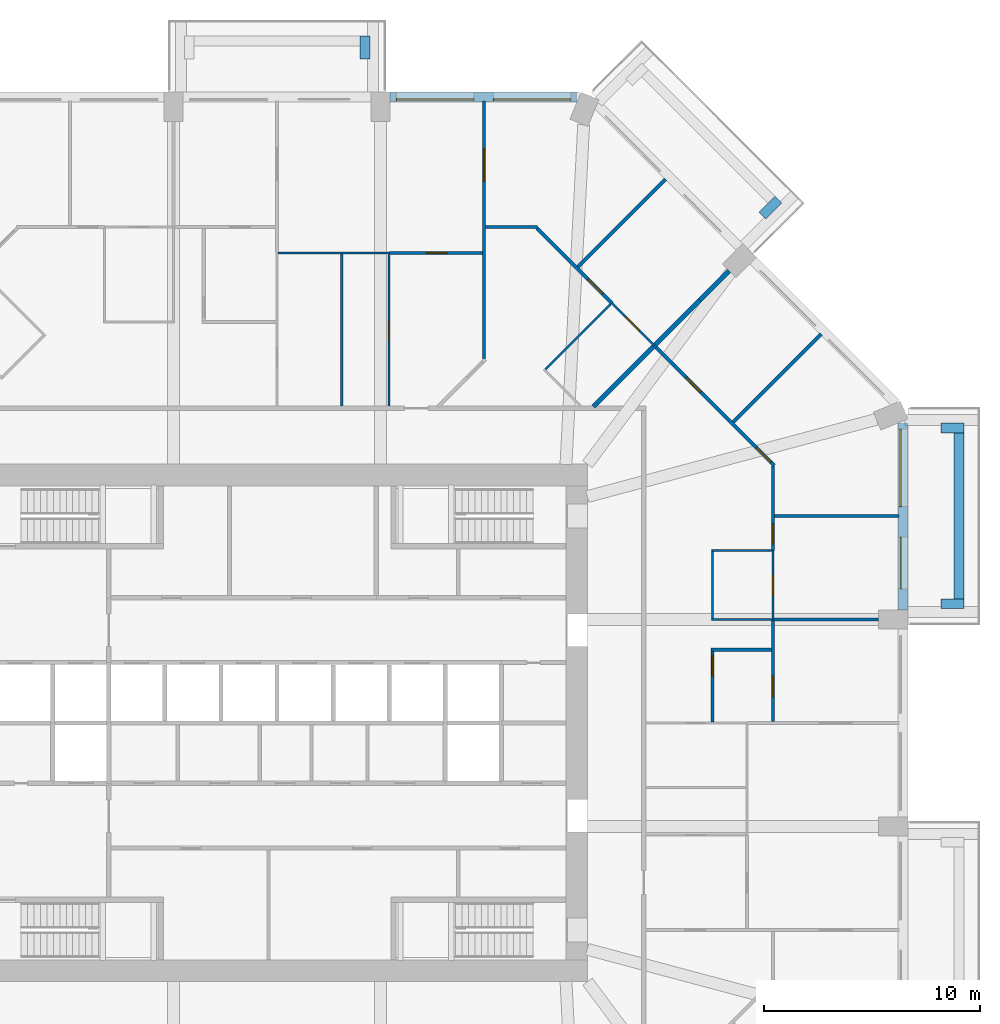
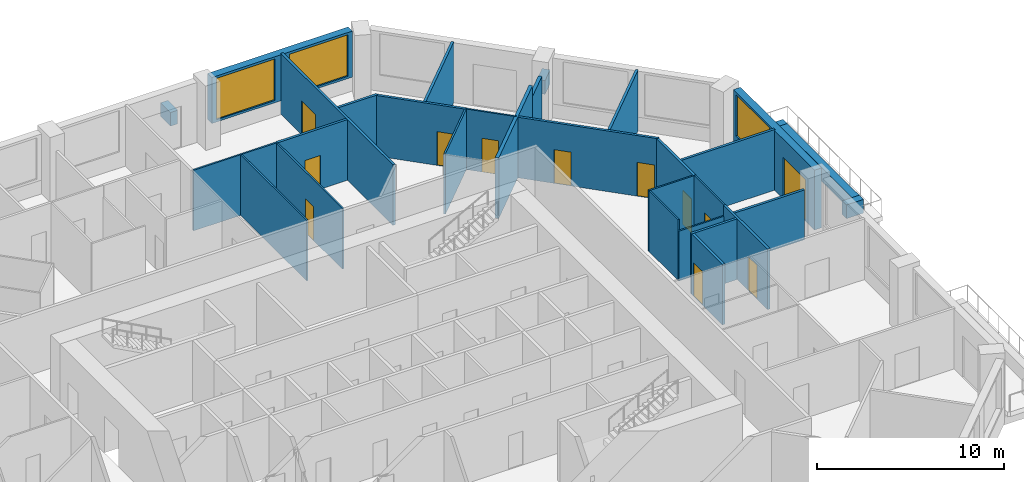
# One storey, part 10 of 13: 31 walls, 12 doors, 3 windows, 15 openings.
"""IFC4 building model written with IfcOpenShell, lengths in metres."""

from ifc_helpers import new_model, si_unit, direction, frame, frame_2d, origin, place, context, subcontext, project, spatial, rectangle, extrude, material, layer, layer_set, type_object, element, fill, save


model = new_model("IFC4")

# Units and contexts
model_context = context("Model", 3, precision=1e-05, world=origin(), true_north=direction((0.0, 1.0)))
body_context = subcontext(model_context, "Body", "Model", "MODEL_VIEW")
ifc_project = project(units=[si_unit("LENGTHUNIT", "METRE"), si_unit("AREAUNIT", "SQUARE_METRE"), si_unit("VOLUMEUNIT", "CUBIC_METRE"), si_unit("PLANEANGLEUNIT", "RADIAN"), si_unit("MASSUNIT", "GRAM", prefix="KILO")], contexts=[model_context])

# Site, building, storey
site_placement = place(None, origin())
site = spatial("IfcSite", under=ifc_project, at=site_placement, CompositionType="ELEMENT")
building_placement = place(site_placement, origin())
building = spatial("IfcBuilding", under=site, at=building_placement, Name="Msitu Wima Residences", CompositionType="ELEMENT")
storey_placement = place(building_placement, frame((0.0, 0.0, 25.5)))
storey = spatial("IfcBuildingStorey", under=building, at=storey_placement, Name="L05", CompositionType="ELEMENT", Elevation=25.5)

# Walls
ifc_material_1 = material(Name="Facing brick")
ifc_layer_1 = layer(ifc_material_1, 0.06494140625, Name="Facing brick")
ifc_material_2 = material(Name="Concrete C40/50", Category="concrete")
ifc_layer_2 = layer(ifc_material_2, 0.156005859375, Name="Concrete C40/50")
ifc_material_3 = material(Name="Waterproofing membrane")
ifc_layer_3 = layer(ifc_material_3, 0.00390625, Name="Waterproofing membrane")
ifc_material_4 = material(Name="Planting soil and planting")
ifc_layer_4 = layer(ifc_material_4, 0.22509765625, Name="Planting soil and planting")
ifc_layer_set_1 = layer_set([ifc_layer_1, ifc_layer_2, ifc_layer_3, ifc_layer_4], Name="Concrete C40/50")
wall_type_1 = type_object("IfcWallType", Name="Balcony planter PLANTER PL450", PredefinedType="USERDEFINED", material=ifc_layer_set_1)
wall_1_placement = place(storey_placement, frame((31.625, 5.75, 0.0), z_axis=(0.0, 0.0, 1.0), x_axis=(0.0, 1.0, 0.0)))
element("IfcWall", 1, at=wall_1_placement, inside=storey, type_object=wall_type_1, Name="Balcony planter E2 L05", ObjectType="PLANTER", PredefinedType="USERDEFINED", context=body_context, shape_type="SweptSolid", body=[
    extrude(rectangle(XDim=7.699951171875, YDim=0.449951171875, at=frame_2d((3.85009765625, 0.0))), origin(), (0.0, 0.0, 1.0), 0.89990234375),
])
for number, where, z_axis, x_axis, name in (
    (2, (30.800048828125, 5.52490234375, 0.0), (0.0, 0.0, 1.0), (1.0, 0.0, 0.0), "Balcony planter E2 L05"),
    (3, (30.800048828125, 13.675048828125, 0.0), (0.0, 0.0, 1.0), (1.0, 0.0, 0.0), "Balcony planter E2 L05"),
    (4, (22.50146484375, 23.52685546875, 0.0), (0.0, 0.0, 1.0), (0.707223014731, 0.706990528533, 0.0), "Balcony planter NE1 L05"),
    (5, (4.074951171875, 30.800048828125, 0.0), (0.0, 0.0, 1.0), (0.0, 1.0, 0.0), "Balcony planter N1 L05"),
):
    element("IfcWall", number, at=place(storey_placement, frame(where, z_axis=z_axis, x_axis=x_axis)), inside=storey, type_object=wall_type_1, Name=name, ObjectType="PLANTER", PredefinedType="USERDEFINED", context=body_context, shape_type="SweptSolid", body=[
        extrude(rectangle(XDim=1.050048828125, YDim=0.449951171875, at=frame_2d((0.52490234375, 0.0))), origin(), (0.0, 0.0, 1.0), 0.89990234375),
    ])

# Wall, openings, door, window
ifc_material_5 = material(Name="Brick (red buff mix)", Category="masonry")
ifc_layer_5 = layer(ifc_material_5, 0.449951171875)
ifc_layer_set_2 = layer_set([ifc_layer_5], Name="Brick (red buff mix)")
wall_type_2 = type_object("IfcWallType", Name="Brick infill wall BW450", PredefinedType="SOLIDWALL", material=ifc_layer_set_2)
wall_2_placement = place(storey_placement, frame((29.02490234375, 5.25, 0.0), z_axis=(0.0, 0.0, 1.0), x_axis=(0.0, 1.0, 0.0)))
wall_2 = element("IfcWall", 6, at=wall_2_placement, inside=storey, type_object=wall_type_2, Name="Brick infill wall L05 E2", PredefinedType="SOLIDWALL", context=body_context, shape_type="SweptSolid", body=[
    extrude(rectangle(XDim=8.662841796875, YDim=0.449951171875, at=frame_2d((4.33154296875, 0.0))), origin(), (0.0, 0.0, 1.0), 3.89990234375),
])
opening_1_placement = place(wall_2_placement, frame((0.9658203125, 0.0, 0.0)))
opening_1 = element("IfcOpeningElement", 7, at=opening_1_placement, cuts=wall_2, Name="Opening D05-07.002", PredefinedType="OPENING", context=body_context, shape_type="SweptSolid", body=[
    extrude(rectangle(XDim=2.39990234375, YDim=2.699951171875, at=frame_2d((1.199951171875, 1.35009765625))), frame((0.0, 0.23486328125, 0.0), z_axis=(0.0, -1.0, 0.0), x_axis=(1.0, 0.0, 0.0)), (0.0, 0.0, 1.0), 0.469970703125),
])
opening_2_placement = place(wall_2_placement, frame((4.781494140625, 0.0, 1.050048828125)))
opening_2 = element("IfcOpeningElement", 8, at=opening_2_placement, cuts=wall_2, Name="Opening W05-07.004", PredefinedType="OPENING", context=body_context, shape_type="SweptSolid", body=[
    extrude(rectangle(XDim=3.60009765625, YDim=2.699951171875, at=frame_2d((1.800048828125, 1.35009765625))), frame((0.0, 0.23486328125, 0.0), z_axis=(0.0, -1.0, 0.0), x_axis=(1.0, 0.0, 0.0)), (0.0, 0.0, 1.0), 0.469970703125),
])
ifc_material_6 = material(Name="Anodised aluminium, bronze finish, clear low-emissivity double glazing", Category="aluminium")
door_type_1 = type_object("IfcDoorType", Name="Balcony door D2400x2700", OperationType="SLIDING_TO_LEFT", PredefinedType="DOOR", material=ifc_material_6)
door_1_placement = place(opening_1_placement, origin())
door_1 = element("IfcDoor", 9, at=door_1_placement, inside=storey, type_object=door_type_1, Name="Balcony door L05 E2", OperationType="SINGLE_SWING_LEFT", OverallHeight=2.699951171875, OverallWidth=2.39990234375, PredefinedType="DOOR", context=body_context, shape_type="SweptSolid", body=[
    extrude(rectangle(XDim=2.39990234375, YDim=2.699951171875, at=frame_2d((1.199951171875, 1.35009765625))), frame((0.0, 0.1298828125, 0.0), z_axis=(0.0, -1.0, 0.0), x_axis=(1.0, 0.0, 0.0)), (0.0, 0.0, 1.0), 0.050048828125),
])
fill(opening_1, door_1)
window_type = type_object("IfcWindowType", Name="Window W3600x2700", PartitioningType="DOUBLE_PANEL_VERTICAL", PredefinedType="WINDOW", material=ifc_material_6)
window_1_placement = place(opening_2_placement, origin())
window_1 = element("IfcWindow", 10, at=window_1_placement, inside=storey, type_object=window_type, Name="Window L05 E2.2", OverallHeight=2.699951171875, OverallWidth=3.60009765625, PartitioningType="SINGLE_PANEL", PredefinedType="WINDOW", context=body_context, shape_type="SweptSolid", body=[
    extrude(rectangle(XDim=3.60009765625, YDim=2.699951171875, at=frame_2d((1.800048828125, 1.35009765625))), frame((0.0, 0.135009765625, 0.0), z_axis=(0.0, -1.0, 0.0), x_axis=(1.0, 0.0, 0.0)), (0.0, 0.0, 1.0), 0.06005859375),
])
fill(opening_2, window_1)

# Wall, openings, windows
wall_3_placement = place(storey_placement, frame((13.912841796875, 29.02490234375, 0.89990234375), z_axis=(0.0, 0.0, 1.0), x_axis=(-1.0, 0.0, 0.0)))
wall_3 = element("IfcWall", 11, at=wall_3_placement, inside=storey, type_object=wall_type_2, Name="Brick infill wall L05 N0", PredefinedType="SOLIDWALL", context=body_context, shape_type="SweptSolid", body=[
    extrude(rectangle(XDim=8.662841796875, YDim=0.449951171875, at=frame_2d((4.33154296875, 0.0))), origin(), (0.0, 0.0, 1.0), 3.0),
])
opening_3_placement = place(wall_3_placement, frame((0.281494140625, 0.0, 0.14990234375)))
opening_3 = element("IfcOpeningElement", 12, at=opening_3_placement, cuts=wall_3, Name="Opening W05-07.005", PredefinedType="OPENING", context=body_context, shape_type="SweptSolid", body=[
    extrude(rectangle(XDim=3.60009765625, YDim=2.699951171875, at=frame_2d((1.800048828125, 1.35009765625))), frame((0.0, 0.23486328125, 0.0), z_axis=(0.0, -1.0, 0.0), x_axis=(1.0, 0.0, 0.0)), (0.0, 0.0, 1.0), 0.469970703125),
])
opening_4_placement = place(wall_3_placement, frame((4.781494140625, 0.0, 0.14990234375)))
opening_4 = element("IfcOpeningElement", 13, at=opening_4_placement, cuts=wall_3, Name="Opening W05-07.006", PredefinedType="OPENING", context=body_context, shape_type="SweptSolid", body=[
    extrude(rectangle(XDim=3.60009765625, YDim=2.699951171875, at=frame_2d((1.800048828125, 1.35009765625))), frame((0.0, 0.23486328125, 0.0), z_axis=(0.0, -1.0, 0.0), x_axis=(1.0, 0.0, 0.0)), (0.0, 0.0, 1.0), 0.469970703125),
])
window_2_placement = place(opening_3_placement, origin())
window_2 = element("IfcWindow", 14, at=window_2_placement, inside=storey, type_object=window_type, Name="Window L05 N0.1", OverallHeight=2.699951171875, OverallWidth=3.60009765625, PartitioningType="SINGLE_PANEL", PredefinedType="WINDOW", context=body_context, shape_type="SweptSolid", body=[
    extrude(rectangle(XDim=3.60009765625, YDim=2.699951171875, at=frame_2d((1.800048828125, 1.35009765625))), frame((0.0, 0.135009765625, 0.0), z_axis=(0.0, -1.0, 0.0), x_axis=(1.0, 0.0, 0.0)), (0.0, 0.0, 1.0), 0.06005859375),
])
fill(opening_3, window_2)
window_3_placement = place(opening_4_placement, origin())
window_3 = element("IfcWindow", 15, at=window_3_placement, inside=storey, type_object=window_type, Name="Window L05 N0.2", OverallHeight=2.699951171875, OverallWidth=3.60009765625, PartitioningType="SINGLE_PANEL", PredefinedType="WINDOW", context=body_context, shape_type="SweptSolid", body=[
    extrude(rectangle(XDim=3.60009765625, YDim=2.699951171875, at=frame_2d((1.800048828125, 1.35009765625))), frame((0.0, 0.135009765625, 0.0), z_axis=(0.0, -1.0, 0.0), x_axis=(1.0, 0.0, 0.0)), (0.0, 0.0, 1.0), 0.06005859375),
])
fill(opening_4, window_3)

# Wall, opening, door
ifc_material_7 = material(Name="Plaster")
ifc_layer_6 = layer(ifc_material_7, 0.011962890625, Name="Plaster")
ifc_material_8 = material(Name="Concrete blockwork", Category="masonry")
ifc_layer_7 = layer(ifc_material_8, 0.1259765625, Name="Concrete blockwork")
ifc_layer_8 = layer(ifc_material_7, 0.011962890625, Name="Plaster")
ifc_layer_set_3 = layer_set([ifc_layer_6, ifc_layer_7, ifc_layer_8], Name="Concrete blockwork")
wall_type_3 = type_object("IfcWallType", Name="Partition PW150", PredefinedType="PARTITIONING", material=ifc_layer_set_3)
wall_4_placement = place(storey_placement, frame((5.219970703125, 21.800048828125, 0.0), z_axis=(0.0, 0.0, 1.0), x_axis=(1.0, 0.0, 0.0)))
wall_4 = element("IfcWall", 16, at=wall_4_placement, inside=storey, type_object=wall_type_3, Name="Partition", PredefinedType="PARTITIONING", context=body_context, shape_type="SweptSolid", body=[
    extrude(rectangle(XDim=4.304931640625, YDim=0.14990234375, at=frame_2d((2.15234375, 0.0))), origin(), (0.0, 0.0, 1.0), 3.949951171875),
])
opening_5_placement = place(wall_4_placement, frame((1.699951171875, 0.0, 0.0)))
opening_5 = element("IfcOpeningElement", 17, at=opening_5_placement, cuts=wall_4, Name="Opening D05-07.048", PredefinedType="OPENING", context=body_context, shape_type="SweptSolid", body=[
    extrude(rectangle(XDim=0.949951171875, YDim=2.199951171875, at=frame_2d((0.47509765625, 1.10009765625))), frame((0.0, 0.0849609375, 0.0), z_axis=(0.0, -1.0, 0.0), x_axis=(1.0, 0.0, 0.0)), (0.0, 0.0, 1.0), 0.169921875),
])
ifc_material_9 = material(Name="Timber flush door", Category="wood")
door_type_2 = type_object("IfcDoorType", Name="Room door D12 950x2200", OperationType="SINGLE_SWING_LEFT", PredefinedType="DOOR", material=ifc_material_9)
door_2_placement = place(opening_5_placement, origin())
door_2 = element("IfcDoor", 18, at=door_2_placement, inside=storey, type_object=door_type_2, Name="Room door", OperationType="SINGLE_SWING_RIGHT", OverallHeight=2.199951171875, OverallWidth=0.949951171875, PredefinedType="DOOR", context=body_context, shape_type="SweptSolid", body=[
    extrude(rectangle(XDim=0.949951171875, YDim=2.199951171875, at=frame_2d((0.47509765625, 1.10009765625))), frame((0.0, 0.02490234375, 0.0), z_axis=(0.0, -1.0, 0.0), x_axis=(1.0, 0.0, 0.0)), (0.0, 0.0, 1.0), 0.050048828125),
])
fill(opening_5, door_2)

wall_5_placement = place(storey_placement, frame((9.60009765625, 16.875, 0.0), z_axis=(0.0, 0.0, 1.0), x_axis=(0.0, 1.0, 0.0)))
wall_5 = element("IfcWall", 19, at=wall_5_placement, inside=storey, type_object=wall_type_3, Name="Partition", PredefinedType="PARTITIONING", context=body_context, shape_type="SweptSolid", body=[
    extrude(rectangle(XDim=11.97998046875, YDim=0.14990234375, at=frame_2d((5.989990234375, 0.0))), origin(), (0.0, 0.0, 1.0), 3.949951171875),
])
opening_6_placement = place(wall_5_placement, frame((8.25, 0.0, 0.0)))
opening_6 = element("IfcOpeningElement", 20, at=opening_6_placement, cuts=wall_5, Name="Opening D05-07.055", PredefinedType="OPENING", context=body_context, shape_type="SweptSolid", body=[
    extrude(rectangle(XDim=1.5, YDim=2.199951171875, at=frame_2d((0.75, 1.10009765625))), frame((0.0, 0.0849609375, 0.0), z_axis=(0.0, -1.0, 0.0), x_axis=(1.0, 0.0, 0.0)), (0.0, 0.0, 1.0), 0.169921875),
])
ifc_material_10 = material(Name="Timber double door", Category="wood")
door_type_3 = type_object("IfcDoorType", Name="Double door D04 1500x2200", OperationType="DOUBLE_DOOR_SINGLE_SWING", PredefinedType="DOOR", material=ifc_material_10)
door_3_placement = place(opening_6_placement, origin())
door_3 = element("IfcDoor", 21, at=door_3_placement, inside=storey, type_object=door_type_3, Name="Double door", OperationType="DOUBLE_DOOR_SINGLE_SWING", OverallHeight=2.199951171875, OverallWidth=1.5, PredefinedType="DOOR", context=body_context, shape_type="SweptSolid", body=[
    extrude(rectangle(XDim=1.5, YDim=2.199951171875, at=frame_2d((0.75, 1.10009765625))), frame((0.0, 0.02490234375, 0.0), z_axis=(0.0, -1.0, 0.0), x_axis=(1.0, 0.0, 0.0)), (0.0, 0.0, 1.0), 0.050048828125),
])
fill(opening_6, door_3)

# Wall
wall_6_placement = place(storey_placement, frame((9.675048828125, 23.0, 0.0), z_axis=(0.0, 0.0, 1.0), x_axis=(1.0, 0.0, 0.0)))
element("IfcWall", 22, at=wall_6_placement, inside=storey, type_object=wall_type_3, Name="Partition", PredefinedType="PARTITIONING", context=body_context, shape_type="SweptSolid", body=[
    extrude(rectangle(XDim=2.3974609375, YDim=0.14990234375, at=frame_2d((1.19873046875, 0.0))), origin(), (0.0, 0.0, 1.0), 3.949951171875),
])

# Wall, opening, door
wall_7_placement = place(storey_placement, frame((12.050537109375, 22.947021484375, 0.0), z_axis=(0.0, 0.0, 1.0), x_axis=(0.707106781187, -0.707106781187, 0.0)))
wall_7 = element("IfcWall", 23, at=wall_7_placement, inside=storey, type_object=wall_type_3, Name="Partition", PredefinedType="PARTITIONING", context=body_context, shape_type="SweptSolid", body=[
    extrude(rectangle(XDim=4.9248046875, YDim=0.14990234375, at=frame_2d((2.46240234375, 0.0))), origin(), (0.0, 0.0, 1.0), 3.949951171875),
])
opening_7_placement = place(wall_7_placement, frame((3.35009765625, 0.0, 0.0)))
opening_7 = element("IfcOpeningElement", 24, at=opening_7_placement, cuts=wall_7, Name="Opening D05-07.051", PredefinedType="OPENING", context=body_context, shape_type="SweptSolid", body=[
    extrude(rectangle(XDim=0.949951171875, YDim=2.199951171875, at=frame_2d((0.47509765625, 1.10009765625))), frame((0.0, 0.0849609375, 0.0), z_axis=(0.0, -1.0, 0.0), x_axis=(1.0, 0.0, 0.0)), (0.0, 0.0, 1.0), 0.169921875),
])
door_4_placement = place(opening_7_placement, origin())
door_4 = element("IfcDoor", 25, at=door_4_placement, inside=storey, type_object=door_type_2, Name="Room door", OperationType="SINGLE_SWING_LEFT", OverallHeight=2.199951171875, OverallWidth=0.949951171875, PredefinedType="DOOR", context=body_context, shape_type="SweptSolid", body=[
    extrude(rectangle(XDim=0.949951171875, YDim=2.199951171875, at=frame_2d((0.47509765625, 1.10009765625))), frame((0.0, 0.02490234375, 0.0), z_axis=(0.0, -1.0, 0.0), x_axis=(1.0, 0.0, 0.0)), (0.0, 0.0, 1.0), 0.050048828125),
])
fill(opening_7, door_4)

# Wall
wall_8_placement = place(storey_placement, frame((13.951904296875, 21.15185546875, 0.0), z_axis=(0.0, 0.0, 1.0), x_axis=(0.707085550893, 0.707128010843, 0.0)))
element("IfcWall", 26, at=wall_8_placement, inside=storey, type_object=wall_type_3, Name="Partition", PredefinedType="PARTITIONING", context=body_context, shape_type="SweptSolid", body=[
    extrude(rectangle(XDim=5.75, YDim=0.14990234375, at=frame_2d((2.875, 0.0))), origin(), (0.0, 0.0, 1.0), 3.949951171875),
])

# Wall, openings, doors
wall_9_placement = place(storey_placement, frame((17.498779296875, 17.498779296875, 0.0), z_axis=(0.0, 0.0, 1.0), x_axis=(0.707106781187, -0.707106781187, 0.0)))
wall_9 = element("IfcWall", 27, at=wall_9_placement, inside=storey, type_object=wall_type_3, Name="Partition", PredefinedType="PARTITIONING", context=body_context, shape_type="SweptSolid", body=[
    extrude(rectangle(XDim=7.854736328125, YDim=0.14990234375, at=frame_2d((3.92724609375, 0.0))), origin(), (0.0, 0.0, 1.0), 3.949951171875),
])
opening_8_placement = place(wall_9_placement, frame((2.10009765625, 0.0, 0.0)))
opening_8 = element("IfcOpeningElement", 28, at=opening_8_placement, cuts=wall_9, Name="Opening D05-07.097", PredefinedType="OPENING", context=body_context, shape_type="SweptSolid", body=[
    extrude(rectangle(XDim=0.949951171875, YDim=2.199951171875, at=frame_2d((0.47509765625, 1.10009765625))), frame((0.0, 0.0849609375, 0.0), z_axis=(0.0, -1.0, 0.0), x_axis=(1.0, 0.0, 0.0)), (0.0, 0.0, 1.0), 0.169921875),
])
opening_9_placement = place(wall_9_placement, frame((6.699951171875, 0.0, 0.0)))
opening_9 = element("IfcOpeningElement", 29, at=opening_9_placement, cuts=wall_9, Name="Opening D05-07.046", PredefinedType="OPENING", context=body_context, shape_type="SweptSolid", body=[
    extrude(rectangle(XDim=0.949951171875, YDim=2.199951171875, at=frame_2d((0.47509765625, 1.10009765625))), frame((0.0, 0.0849609375, 0.0), z_axis=(0.0, -1.0, 0.0), x_axis=(1.0, 0.0, 0.0)), (0.0, 0.0, 1.0), 0.169921875),
])
door_5_placement = place(opening_8_placement, origin())
door_5 = element("IfcDoor", 30, at=door_5_placement, inside=storey, type_object=door_type_2, Name="Room door", OperationType="SINGLE_SWING_RIGHT", OverallHeight=2.199951171875, OverallWidth=0.949951171875, PredefinedType="DOOR", context=body_context, shape_type="SweptSolid", body=[
    extrude(rectangle(XDim=0.949951171875, YDim=2.199951171875, at=frame_2d((0.47509765625, 1.10009765625))), frame((0.0, 0.02490234375, 0.0), z_axis=(0.0, -1.0, 0.0), x_axis=(1.0, 0.0, 0.0)), (0.0, 0.0, 1.0), 0.050048828125),
])
fill(opening_8, door_5)
door_6_placement = place(opening_9_placement, origin())
door_6 = element("IfcDoor", 31, at=door_6_placement, inside=storey, type_object=door_type_2, Name="Room door", OperationType="SINGLE_SWING_LEFT", OverallHeight=2.199951171875, OverallWidth=0.949951171875, PredefinedType="DOOR", context=body_context, shape_type="SweptSolid", body=[
    extrude(rectangle(XDim=0.949951171875, YDim=2.199951171875, at=frame_2d((0.47509765625, 1.10009765625))), frame((0.0, 0.02490234375, 0.0), z_axis=(0.0, -1.0, 0.0), x_axis=(1.0, 0.0, 0.0)), (0.0, 0.0, 1.0), 0.050048828125),
])
fill(opening_9, door_6)

# Wall, opening, door
wall_10_placement = place(storey_placement, frame((20.199951171875, 0.050048828125, 0.0), z_axis=(0.0, 0.0, 1.0), x_axis=(0.0, 1.0, 0.0)))
wall_10 = element("IfcWall", 32, at=wall_10_placement, inside=storey, type_object=wall_type_3, Name="Partition", PredefinedType="PARTITIONING", context=body_context, shape_type="SweptSolid", body=[
    extrude(rectangle(XDim=3.27490234375, YDim=0.14990234375, at=frame_2d((1.637451171875, 0.0))), origin(), (0.0, 0.0, 1.0), 3.949951171875),
])
opening_10_placement = place(wall_10_placement, frame((2.14990234375, 0.0, 0.0)))
opening_10 = element("IfcOpeningElement", 33, at=opening_10_placement, cuts=wall_10, Name="Opening D05-07.096", PredefinedType="OPENING", context=body_context, shape_type="SweptSolid", body=[
    extrude(rectangle(XDim=0.949951171875, YDim=2.199951171875, at=frame_2d((0.47509765625, 1.10009765625))), frame((0.0, 0.0849609375, 0.0), z_axis=(0.0, -1.0, 0.0), x_axis=(1.0, 0.0, 0.0)), (0.0, 0.0, 1.0), 0.169921875),
])
door_7_placement = place(opening_10_placement, origin())
door_7 = element("IfcDoor", 34, at=door_7_placement, inside=storey, type_object=door_type_2, Name="Room door", OperationType="SINGLE_SWING_LEFT", OverallHeight=2.199951171875, OverallWidth=0.949951171875, PredefinedType="DOOR", context=body_context, shape_type="SweptSolid", body=[
    extrude(rectangle(XDim=0.949951171875, YDim=2.199951171875, at=frame_2d((0.47509765625, 1.10009765625))), frame((0.0, 0.02490234375, 0.0), z_axis=(0.0, -1.0, 0.0), x_axis=(1.0, 0.0, 0.0)), (0.0, 0.0, 1.0), 0.050048828125),
])
fill(opening_10, door_7)

# Walls
wall_11_placement = place(storey_placement, frame((20.125, 3.39990234375, 0.0), z_axis=(0.0, 0.0, 1.0), x_axis=(1.0, 0.0, 0.0)))
element("IfcWall", 35, at=wall_11_placement, inside=storey, type_object=wall_type_3, Name="Partition", PredefinedType="PARTITIONING", context=body_context, shape_type="SweptSolid", body=[
    extrude(rectangle(XDim=2.800048828125, YDim=0.14990234375, at=frame_2d((1.39990234375, 0.0))), origin(), (0.0, 0.0, 1.0), 3.949951171875),
])
wall_12_placement = place(storey_placement, frame((21.15185546875, 13.951904296875, 0.0), z_axis=(0.0, 0.0, 1.0), x_axis=(0.707106781187, 0.707106781187, 0.0)))
element("IfcWall", 36, at=wall_12_placement, inside=storey, type_object=wall_type_3, Name="Partition", PredefinedType="PARTITIONING", context=body_context, shape_type="SweptSolid", body=[
    extrude(rectangle(XDim=5.77978515625, YDim=0.14990234375, at=frame_2d((2.889892578125, 0.0))), origin(), (0.0, 0.0, 1.0), 3.949951171875),
])
wall_13_placement = place(storey_placement, frame((22.97998046875, 4.800048828125, 0.0), z_axis=(0.0, 0.0, 1.0), x_axis=(1.0, 0.0, 0.0)))
element("IfcWall", 37, at=wall_13_placement, inside=storey, type_object=wall_type_3, Name="Partition", PredefinedType="PARTITIONING", context=body_context, shape_type="SweptSolid", body=[
    extrude(rectangle(XDim=4.919921875, YDim=0.14990234375, at=frame_2d((2.4599609375, 0.0))), origin(), (0.0, 0.0, 1.0), 3.25),
])

# Wall, opening, door
wall_14_placement = place(storey_placement, frame((23.0, 0.074951171875, 0.0), z_axis=(0.0, 0.0, 1.0), x_axis=(0.0, 1.0, 0.0)))
wall_14 = element("IfcWall", 38, at=wall_14_placement, inside=storey, type_object=wall_type_3, Name="Partition", PredefinedType="PARTITIONING", context=body_context, shape_type="SweptSolid", body=[
    extrude(rectangle(XDim=4.72509765625, YDim=0.14990234375, at=frame_2d((2.362548828125, 0.0))), origin(), (0.0, 0.0, 1.0), 3.949951171875),
])
opening_11_placement = place(wall_14_placement, frame((1.14990234375, 0.0, 0.0)))
opening_11 = element("IfcOpeningElement", 39, at=opening_11_placement, cuts=wall_14, Name="Opening D05-07.094", PredefinedType="OPENING", context=body_context, shape_type="SweptSolid", body=[
    extrude(rectangle(XDim=0.949951171875, YDim=2.199951171875, at=frame_2d((0.47509765625, 1.10009765625))), frame((0.0, 0.0849609375, 0.0), z_axis=(0.0, -1.0, 0.0), x_axis=(1.0, 0.0, 0.0)), (0.0, 0.0, 1.0), 0.169921875),
])
door_8_placement = place(opening_11_placement, origin())
door_8 = element("IfcDoor", 40, at=door_8_placement, inside=storey, type_object=door_type_2, Name="Room door", OperationType="SINGLE_SWING_RIGHT", OverallHeight=2.199951171875, OverallWidth=0.949951171875, PredefinedType="DOOR", context=body_context, shape_type="SweptSolid", body=[
    extrude(rectangle(XDim=0.949951171875, YDim=2.199951171875, at=frame_2d((0.47509765625, 1.10009765625))), frame((0.0, 0.02490234375, 0.0), z_axis=(0.0, -1.0, 0.0), x_axis=(1.0, 0.0, 0.0)), (0.0, 0.0, 1.0), 0.050048828125),
])
fill(opening_11, door_8)

wall_15_placement = place(storey_placement, frame((23.0, 8.0, 0.0), z_axis=(0.0, 0.0, 1.0), x_axis=(0.0, 1.0, 0.0)))
wall_15 = element("IfcWall", 41, at=wall_15_placement, inside=storey, type_object=wall_type_3, Name="Partition", PredefinedType="PARTITIONING", context=body_context, shape_type="SweptSolid", body=[
    extrude(rectangle(XDim=3.922607421875, YDim=0.14990234375, at=frame_2d((1.96142578125, 0.0))), origin(), (0.0, 0.0, 1.0), 3.949951171875),
])
opening_12_placement = place(wall_15_placement, frame((0.300048828125, 0.0, 0.0)))
opening_12 = element("IfcOpeningElement", 42, at=opening_12_placement, cuts=wall_15, Name="Opening D05-07.043", PredefinedType="OPENING", context=body_context, shape_type="SweptSolid", body=[
    extrude(rectangle(XDim=0.949951171875, YDim=2.199951171875, at=frame_2d((0.47509765625, 1.10009765625))), frame((0.0, 0.0849609375, 0.0), z_axis=(0.0, -1.0, 0.0), x_axis=(1.0, 0.0, 0.0)), (0.0, 0.0, 1.0), 0.169921875),
])
door_9_placement = place(opening_12_placement, origin())
door_9 = element("IfcDoor", 43, at=door_9_placement, inside=storey, type_object=door_type_2, Name="Room door", OperationType="SINGLE_SWING_LEFT", OverallHeight=2.199951171875, OverallWidth=0.949951171875, PredefinedType="DOOR", context=body_context, shape_type="SweptSolid", body=[
    extrude(rectangle(XDim=0.949951171875, YDim=2.199951171875, at=frame_2d((0.47509765625, 1.10009765625))), frame((0.0, 0.02490234375, 0.0), z_axis=(0.0, -1.0, 0.0), x_axis=(1.0, 0.0, 0.0)), (0.0, 0.0, 1.0), 0.050048828125),
])
fill(opening_12, door_9)

# Walls
wall_16_placement = place(storey_placement, frame((23.074951171875, 9.60009765625, 0.0), z_axis=(0.0, 0.0, 1.0), x_axis=(1.0, 0.0, 0.0)))
element("IfcWall", 44, at=wall_16_placement, inside=storey, type_object=wall_type_3, Name="Partition", PredefinedType="PARTITIONING", context=body_context, shape_type="SweptSolid", body=[
    extrude(rectangle(XDim=5.780029296875, YDim=0.14990234375, at=frame_2d((2.89013671875, 0.0))), origin(), (0.0, 0.0, 1.0), 3.949951171875),
])
ifc_layer_9 = layer(ifc_material_7, 0.011962890625, Name="Plaster")
ifc_material_11 = material(Name="Dense concrete blockwork", Category="masonry")
ifc_layer_10 = layer(ifc_material_11, 0.176025390625, Name="Dense concrete blockwork")
ifc_layer_11 = layer(ifc_material_7, 0.011962890625, Name="Plaster")
ifc_layer_set_4 = layer_set([ifc_layer_9, ifc_layer_10, ifc_layer_11], Name="Dense concrete blockwork")
wall_type_4 = type_object("IfcWallType", Name="Party wall PW200", PredefinedType="PARTITIONING", material=ifc_layer_set_4)
wall_17_placement = place(storey_placement, frame((14.670654296875, 14.670654296875, 0.0), z_axis=(0.0, 0.0, 1.0), x_axis=(0.707106781187, 0.707106781187, 0.0)))
element("IfcWall", 45, at=wall_17_placement, inside=storey, type_object=wall_type_4, Name="Party wall", PredefinedType="PARTITIONING", context=body_context, shape_type="SweptSolid", body=[
    extrude(rectangle(XDim=6.979248046875, YDim=0.199951171875, at=frame_2d((3.48974609375, 0.0))), origin(), (0.0, 0.0, 1.0), 3.949951171875),
])
wall_18_placement = place(storey_placement, frame((19.605712890625, 19.605712890625, 0.0), z_axis=(0.0, 0.0, 1.0), x_axis=(0.707106781187, 0.707106781187, 0.0)))
element("IfcWall", 46, at=wall_18_placement, inside=storey, type_object=wall_type_4, Name="Party wall", PredefinedType="PARTITIONING", context=body_context, shape_type="SweptSolid", body=[
    extrude(rectangle(XDim=1.92041015625, YDim=0.199951171875, at=frame_2d((0.960205078125, 0.0))), origin(), (0.0, 0.0, 1.0), 3.25),
])
ifc_material_12 = material(Name="Ceramic tiles")
ifc_layer_12 = layer(ifc_material_12, 0.008056640625, Name="Ceramic tiles")
ifc_material_13 = material(Name="Moisture-resistant board")
ifc_layer_13 = layer(ifc_material_13, 0.012451171875, Name="Moisture-resistant board")
ifc_material_14 = material(Name="Light-gauge stud framing with mineral wool")
ifc_layer_14 = layer(ifc_material_14, 0.06689453125, Name="Light-gauge stud framing with mineral wool")
ifc_layer_15 = layer(ifc_material_13, 0.012451171875, Name="Moisture-resistant board")
ifc_layer_set_5 = layer_set([ifc_layer_12, ifc_layer_13, ifc_layer_14, ifc_layer_15], Name="Light-gauge stud framing with mineral wool")
wall_type_5 = type_object("IfcWallType", Name="Wet wall PW100", PredefinedType="PARTITIONING", material=ifc_layer_set_5)
wall_19_placement = place(storey_placement, frame((0.050048828125, 21.800048828125, 0.0), z_axis=(0.0, 0.0, 1.0), x_axis=(1.0, 0.0, 0.0)))
element("IfcWall", 47, at=wall_19_placement, inside=storey, type_object=wall_type_5, Name="Wet wall", PredefinedType="PARTITIONING", context=body_context, shape_type="SweptSolid", body=[
    extrude(rectangle(XDim=5.169921875, YDim=0.10009765625, at=frame_2d((2.5849609375, 0.0))), origin(), (0.0, 0.0, 1.0), 3.949951171875),
])
wall_20_placement = place(storey_placement, frame((3.0, 14.699951171875, 0.0), z_axis=(0.0, 0.0, 1.0), x_axis=(0.0, 1.0, 0.0)))
element("IfcWall", 48, at=wall_20_placement, inside=storey, type_object=wall_type_5, Name="Wet wall", PredefinedType="PARTITIONING", context=body_context, shape_type="SweptSolid", body=[
    extrude(rectangle(XDim=7.050048828125, YDim=0.10009765625, at=frame_2d((3.52490234375, 0.0))), origin(), (0.0, 0.0, 1.0), 3.949951171875),
])

# Wall, opening, door
wall_21_placement = place(storey_placement, frame((5.199951171875, 14.699951171875, 0.0), z_axis=(0.0, 0.0, 1.0), x_axis=(0.0, 1.0, 0.0)))
wall_21 = element("IfcWall", 49, at=wall_21_placement, inside=storey, type_object=wall_type_5, Name="Wet wall", PredefinedType="PARTITIONING", context=body_context, shape_type="SweptSolid", body=[
    extrude(rectangle(XDim=7.025146484375, YDim=0.10009765625, at=frame_2d((3.5126953125, 0.0))), origin(), (0.0, 0.0, 1.0), 3.949951171875),
])
opening_13_placement = place(wall_21_placement, frame((3.050048828125, 0.0, 0.0)))
opening_13 = element("IfcOpeningElement", 50, at=opening_13_placement, cuts=wall_21, Name="Opening D05-07.049", PredefinedType="OPENING", context=body_context, shape_type="SweptSolid", body=[
    extrude(rectangle(XDim=0.89990234375, YDim=2.199951171875, at=frame_2d((0.449951171875, 1.10009765625))), frame((0.0, 0.06005859375, 0.0), z_axis=(0.0, -1.0, 0.0), x_axis=(1.0, 0.0, 0.0)), (0.0, 0.0, 1.0), 0.1201171875),
])
ifc_material_15 = material(Name="Timber flush door, moisture resistant", Category="wood")
door_type_4 = type_object("IfcDoorType", Name="Bathroom door D03 900x2200", OperationType="SINGLE_SWING_LEFT", PredefinedType="DOOR", material=ifc_material_15)
door_10_placement = place(opening_13_placement, origin())
door_10 = element("IfcDoor", 51, at=door_10_placement, inside=storey, type_object=door_type_4, Name="Bathroom door", OperationType="SINGLE_SWING_LEFT", OverallHeight=2.199951171875, OverallWidth=0.89990234375, PredefinedType="DOOR", context=body_context, shape_type="SweptSolid", body=[
    extrude(rectangle(XDim=0.89990234375, YDim=2.199951171875, at=frame_2d((0.449951171875, 1.10009765625))), frame((0.0, 0.02490234375, 0.0), z_axis=(0.0, -1.0, 0.0), x_axis=(1.0, 0.0, 0.0)), (0.0, 0.0, 1.0), 0.050048828125),
])
fill(opening_13, door_10)

# Wall
wall_22_placement = place(storey_placement, frame((12.44287109375, 16.40283203125, 0.0), z_axis=(0.0, 0.0, 1.0), x_axis=(0.707135335582, 0.707078225638, 0.0)))
element("IfcWall", 52, at=wall_22_placement, inside=storey, type_object=wall_type_5, Name="Wet wall", PredefinedType="PARTITIONING", context=body_context, shape_type="SweptSolid", body=[
    extrude(rectangle(XDim=4.27490234375, YDim=0.10009765625, at=frame_2d((2.137451171875, 0.0))), origin(), (0.0, 0.0, 1.0), 3.949951171875),
])

# Wall, opening, door
wall_23_placement = place(storey_placement, frame((15.532958984375, 19.464599609375, 0.0), z_axis=(0.0, 0.0, 1.0), x_axis=(0.707106781187, -0.707106781187, 0.0)))
wall_23 = element("IfcWall", 53, at=wall_23_placement, inside=storey, type_object=wall_type_5, Name="Wet wall", PredefinedType="PARTITIONING", context=body_context, shape_type="SweptSolid", body=[
    extrude(rectangle(XDim=2.780029296875, YDim=0.10009765625, at=frame_2d((1.39013671875, 0.0))), origin(), (0.0, 0.0, 1.0), 3.949951171875),
])
opening_14_placement = place(wall_23_placement, frame((0.89990234375, 0.0, 0.0)))
opening_14 = element("IfcOpeningElement", 54, at=opening_14_placement, cuts=wall_23, Name="Opening D05-07.052", PredefinedType="OPENING", context=body_context, shape_type="SweptSolid", body=[
    extrude(rectangle(XDim=0.89990234375, YDim=2.199951171875, at=frame_2d((0.449951171875, 1.10009765625))), frame((0.0, 0.06005859375, 0.0), z_axis=(0.0, -1.0, 0.0), x_axis=(1.0, 0.0, 0.0)), (0.0, 0.0, 1.0), 0.1201171875),
])
door_11_placement = place(opening_14_placement, origin())
door_11 = element("IfcDoor", 55, at=door_11_placement, inside=storey, type_object=door_type_4, Name="Bathroom door", OperationType="SINGLE_SWING_RIGHT", OverallHeight=2.199951171875, OverallWidth=0.89990234375, PredefinedType="DOOR", context=body_context, shape_type="SweptSolid", body=[
    extrude(rectangle(XDim=0.89990234375, YDim=2.199951171875, at=frame_2d((0.449951171875, 1.10009765625))), frame((0.0, 0.02490234375, 0.0), z_axis=(0.0, -1.0, 0.0), x_axis=(1.0, 0.0, 0.0)), (0.0, 0.0, 1.0), 0.050048828125),
])
fill(opening_14, door_11)

# Walls
wall_24_placement = place(storey_placement, frame((20.199951171875, 4.85009765625, 0.0), z_axis=(0.0, 0.0, 1.0), x_axis=(0.0, 1.0, 0.0)))
element("IfcWall", 56, at=wall_24_placement, inside=storey, type_object=wall_type_5, Name="Wet wall", PredefinedType="PARTITIONING", context=body_context, shape_type="SweptSolid", body=[
    extrude(rectangle(XDim=3.099853515625, YDim=0.10009765625, at=frame_2d((1.5498046875, 0.0))), origin(), (0.0, 0.0, 1.0), 3.949951171875),
])
wall_25_placement = place(storey_placement, frame((20.14990234375, 4.800048828125, 0.0), z_axis=(0.0, 0.0, 1.0), x_axis=(1.0, 0.0, 0.0)))
element("IfcWall", 57, at=wall_25_placement, inside=storey, type_object=wall_type_5, Name="Wet wall", PredefinedType="PARTITIONING", context=body_context, shape_type="SweptSolid", body=[
    extrude(rectangle(XDim=2.830078125, YDim=0.10009765625, at=frame_2d((1.4150390625, 0.0))), origin(), (0.0, 0.0, 1.0), 3.25),
])
wall_26_placement = place(storey_placement, frame((20.14990234375, 8.0, 0.0), z_axis=(0.0, 0.0, 1.0), x_axis=(1.0, 0.0, 0.0)))
element("IfcWall", 58, at=wall_26_placement, inside=storey, type_object=wall_type_5, Name="Wet wall", PredefinedType="PARTITIONING", context=body_context, shape_type="SweptSolid", body=[
    extrude(rectangle(XDim=2.775146484375, YDim=0.10009765625, at=frame_2d((1.3876953125, 0.0))), origin(), (0.0, 0.0, 1.0), 3.949951171875),
])

# Wall, opening, door
wall_27_placement = place(storey_placement, frame((23.0, 4.800048828125, 0.0), z_axis=(0.0, 0.0, 1.0), x_axis=(0.0, 1.0, 0.0)))
wall_27 = element("IfcWall", 59, at=wall_27_placement, inside=storey, type_object=wall_type_5, Name="Wet wall", PredefinedType="PARTITIONING", context=body_context, shape_type="SweptSolid", body=[
    extrude(rectangle(XDim=3.199951171875, YDim=0.10009765625, at=frame_2d((1.60009765625, 0.0))), origin(), (0.0, 0.0, 1.0), 3.949951171875),
])
opening_15_placement = place(wall_27_placement, frame((1.14990234375, 0.0, 0.0)))
opening_15 = element("IfcOpeningElement", 60, at=opening_15_placement, cuts=wall_27, Name="Opening D05-07.044", PredefinedType="OPENING", context=body_context, shape_type="SweptSolid", body=[
    extrude(rectangle(XDim=0.89990234375, YDim=2.199951171875, at=frame_2d((0.449951171875, 1.10009765625))), frame((0.0, 0.06005859375, 0.0), z_axis=(0.0, -1.0, 0.0), x_axis=(1.0, 0.0, 0.0)), (0.0, 0.0, 1.0), 0.1201171875),
])
door_12_placement = place(opening_15_placement, origin())
door_12 = element("IfcDoor", 61, at=door_12_placement, inside=storey, type_object=door_type_4, Name="Bathroom door", OperationType="SINGLE_SWING_LEFT", OverallHeight=2.199951171875, OverallWidth=0.89990234375, PredefinedType="DOOR", context=body_context, shape_type="SweptSolid", body=[
    extrude(rectangle(XDim=0.89990234375, YDim=2.199951171875, at=frame_2d((0.449951171875, 1.10009765625))), frame((0.0, 0.02490234375, 0.0), z_axis=(0.0, -1.0, 0.0), x_axis=(1.0, 0.0, 0.0)), (0.0, 0.0, 1.0), 0.050048828125),
])
fill(opening_15, door_12)

save(model, "model.ifc")
